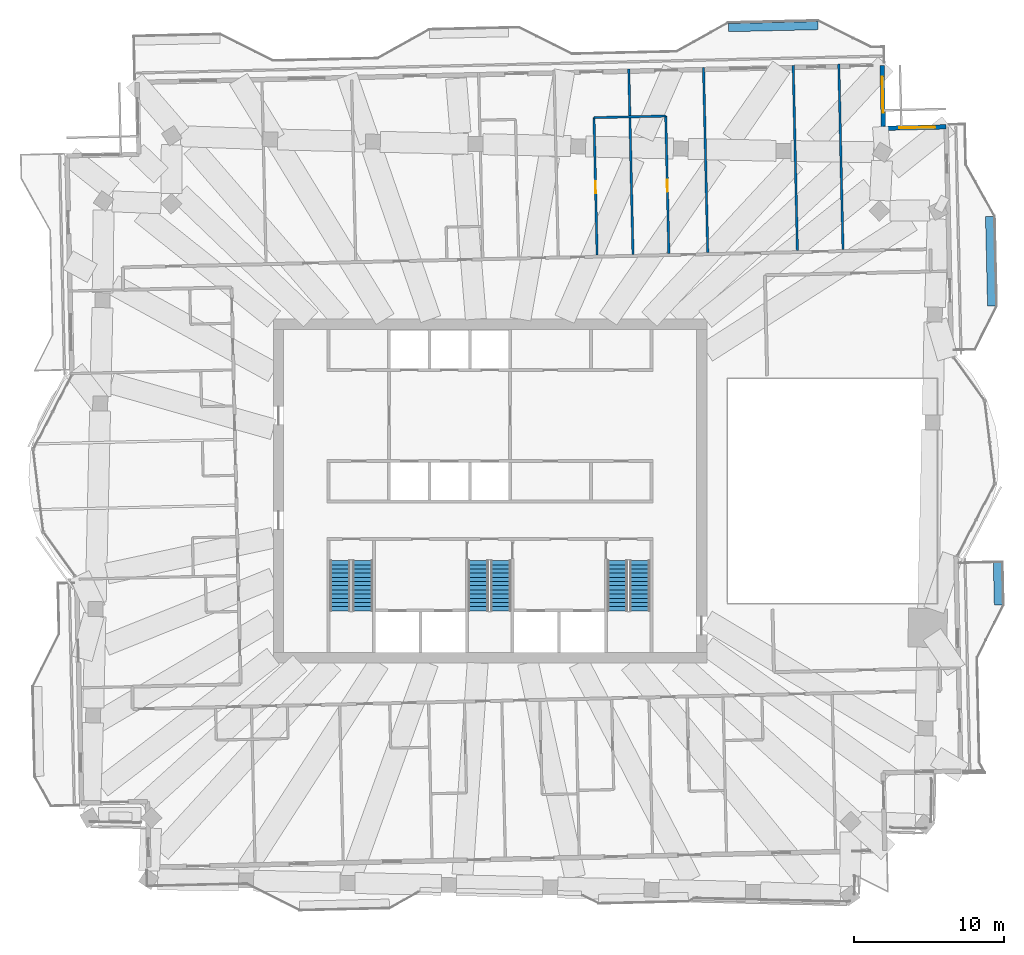
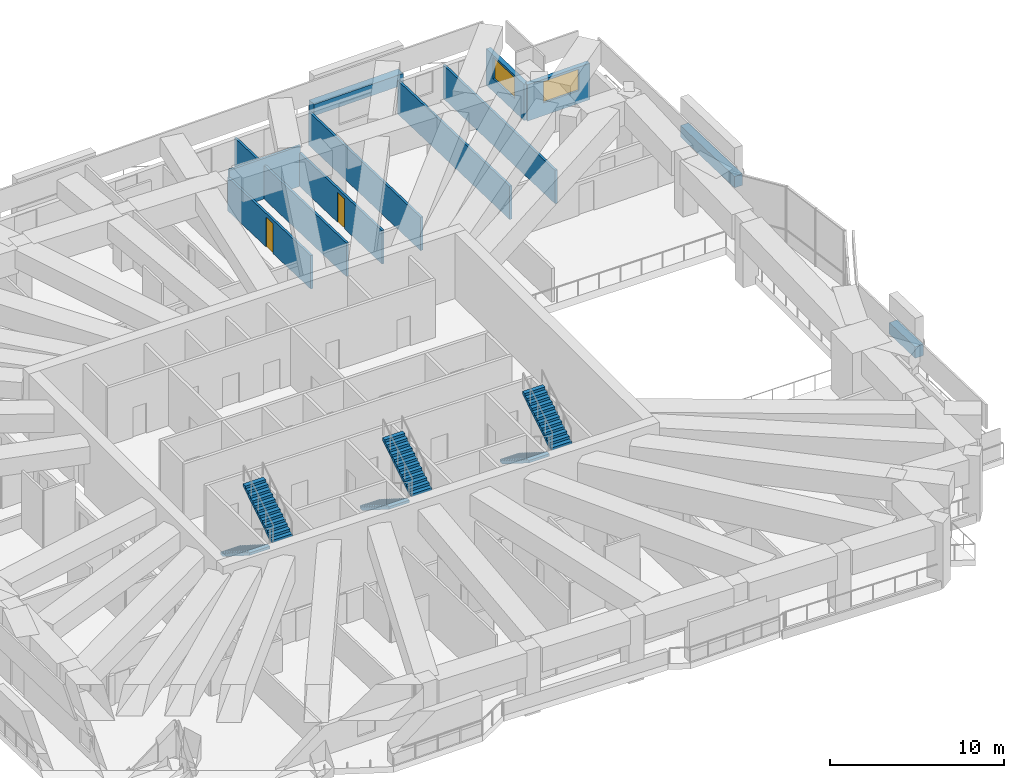
# One storey, part 17 of 21: 12 walls, 6 stair flights, 2 doors, 2 windows, 4 openings, 3 elements without a shape of their own.
"""IFC4 building model written with IfcOpenShell, lengths in metres."""

from ifc_helpers import new_model, si_unit, direction, frame, frame_2d, origin, place, context, subcontext, project, spatial, polyline, rectangle, outline, extrude, material, layer, layer_set, type_object, element, fill, aggregate, save


model = new_model("IFC4")

# Units and contexts
model_context = context("Model", 3, precision=1e-05, world=origin(), true_north=direction((0.0, 1.0)))
body_context = subcontext(model_context, "Body", "Model", "MODEL_VIEW")
ifc_project = project(units=[si_unit("LENGTHUNIT", "METRE"), si_unit("AREAUNIT", "SQUARE_METRE"), si_unit("VOLUMEUNIT", "CUBIC_METRE"), si_unit("PLANEANGLEUNIT", "RADIAN"), si_unit("MASSUNIT", "GRAM", prefix="KILO")], contexts=[model_context])

# Site, building, storey
site_placement = place(None, origin())
site = spatial("IfcSite", under=ifc_project, at=site_placement, CompositionType="ELEMENT")
building_placement = place(site_placement, origin())
building = spatial("IfcBuilding", under=site, at=building_placement, Name="Mangrove Gate Tower", CompositionType="ELEMENT")
storey_placement = place(building_placement, frame((0.0, 0.0, 275.300048828125)))
storey = spatial("IfcBuildingStorey", under=building, at=storey_placement, Name="L70", CompositionType="ELEMENT", Elevation=275.300048828125)

# Wall, opening, window
ifc_material_1 = material(Name="Limestone", Category="masonry")
ifc_layer_1 = layer(ifc_material_1, 0.0400390625, Name="Limestone cladding")
ifc_material_2 = material(Name="Ventilated air gap")
ifc_layer_2 = layer(ifc_material_2, 0.0400390625, Name="Ventilated cavity")
ifc_material_3 = material(Name="Mineral wool insulation")
ifc_layer_3 = layer(ifc_material_3, 0.06005859375, Name="Insulation")
ifc_material_4 = material(Name="Breather membrane")
ifc_layer_4 = layer(ifc_material_4, 0.001953125, Name="Breather membrane")
ifc_material_5 = material(Name="Concrete C20/25 blockwork", Category="masonry")
ifc_layer_5 = layer(ifc_material_5, 0.14990234375, Name="Blockwork backing wall")
ifc_material_6 = material(Name="Gypsum plaster")
ifc_layer_6 = layer(ifc_material_6, 0.008056640625, Name="Internal plaster")
ifc_layer_set_1 = layer_set([ifc_layer_1, ifc_layer_2, ifc_layer_3, ifc_layer_4, ifc_layer_5, ifc_layer_6], Name="External wall 300 limestone cladding")
wall_type_1 = type_object("IfcWallType", Name="External wall 300 limestone cladding", PredefinedType="SOLIDWALL", material=ifc_layer_set_1)
wall_1_placement = place(storey_placement, frame((30.510009765625, 24.362060546875, 0.0), z_axis=(0.0, 0.0, 1.0), x_axis=(-0.999739037152, -0.022844202663, 0.0)))
wall_1 = element("IfcWall", 1, at=wall_1_placement, inside=storey, type_object=wall_type_1, Name="WALL-L70-N3", PredefinedType="SOLIDWALL", context=body_context, shape_type="SweptSolid", body=[
    extrude(rectangle(XDim=4.199951171875, YDim=0.300048828125, at=frame_2d((2.10009765625, 0.0))), origin(), (0.0, 0.0, 1.0), 2.550048828125),
])
opening_1_placement = place(wall_1_placement, frame((0.75, 0.0, 0.89990234375)))
opening_1 = element("IfcOpeningElement", 2, at=opening_1_placement, cuts=wall_1, Name="Opening W2", PredefinedType="OPENING", context=body_context, shape_type="SweptSolid", body=[
    extrude(rectangle(XDim=2.39990234375, YDim=1.5, at=frame_2d((1.199951171875, 0.75))), frame((0.0, 0.159912109375, 0.0), z_axis=(0.0, -1.0, 0.0), x_axis=(1.0, 0.0, 0.0)), (0.0, 0.0, 1.0), 0.320068359375),
])
ifc_material_7 = material(Name="Aluminium frame with double-glazed low-e glass", Category="aluminium")
window_type = type_object("IfcWindowType", Name="Corner room window 2400x1500", PartitioningType="DOUBLE_PANEL_VERTICAL", PredefinedType="WINDOW", material=ifc_material_7)
window_1_placement = place(opening_1_placement, origin())
window_1 = element("IfcWindow", 3, at=window_1_placement, inside=storey, type_object=window_type, Name="WIN-L70-N3-1", OverallHeight=1.5, OverallWidth=2.39990234375, PartitioningType="DOUBLE_PANEL_VERTICAL", PredefinedType="WINDOW", context=body_context, shape_type="SweptSolid", body=[
    extrude(rectangle(XDim=2.39990234375, YDim=1.5, at=frame_2d((1.199951171875, 0.75))), frame((0.0, 0.030029296875, 0.0), z_axis=(0.0, -1.0, 0.0), x_axis=(1.0, 0.0, 0.0)), (0.0, 0.0, 1.0), 0.06005859375),
])
fill(opening_1, window_1)

wall_2_placement = place(storey_placement, frame((26.31103515625, 24.26611328125, 0.0), z_axis=(0.0, 0.0, 1.0), x_axis=(-0.022611811187, 0.999744320311, 0.0)))
wall_2 = element("IfcWall", 4, at=wall_2_placement, inside=storey, type_object=wall_type_1, Name="WALL-L70-E4", PredefinedType="SOLIDWALL", context=body_context, shape_type="SweptSolid", body=[
    extrude(rectangle(XDim=4.199951171875, YDim=0.300048828125, at=frame_2d((2.10009765625, 0.0))), origin(), (0.0, 0.0, 1.0), 2.550048828125),
])
opening_2_placement = place(wall_2_placement, frame((1.050048828125, 0.0, 0.89990234375)))
opening_2 = element("IfcOpeningElement", 5, at=opening_2_placement, cuts=wall_2, Name="Opening W2", PredefinedType="OPENING", context=body_context, shape_type="SweptSolid", body=[
    extrude(rectangle(XDim=2.39990234375, YDim=1.5, at=frame_2d((1.199951171875, 0.75))), frame((0.0, 0.159912109375, 0.0), z_axis=(0.0, -1.0, 0.0), x_axis=(1.0, 0.0, 0.0)), (0.0, 0.0, 1.0), 0.320068359375),
])
window_2_placement = place(opening_2_placement, origin())
window_2 = element("IfcWindow", 6, at=window_2_placement, inside=storey, type_object=window_type, Name="WIN-L70-E4-1", OverallHeight=1.5, OverallWidth=2.39990234375, PartitioningType="DOUBLE_PANEL_VERTICAL", PredefinedType="WINDOW", context=body_context, shape_type="SweptSolid", body=[
    extrude(rectangle(XDim=2.39990234375, YDim=1.5, at=frame_2d((1.199951171875, 0.75))), frame((0.0, 0.030029296875, 0.0), z_axis=(0.0, -1.0, 0.0), x_axis=(1.0, 0.0, 0.0)), (0.0, 0.0, 1.0), 0.06005859375),
])
fill(opening_2, window_2)

# Wall, opening, door
ifc_material_8 = material(Name="Gypsum board on steel stud, EI 60", Category="steel")
ifc_layer_7 = layer(ifc_material_8, 0.14990234375)
ifc_layer_set_2 = layer_set([ifc_layer_7], Name="Party wall 150 EI 60")
wall_type_2 = type_object("IfcWallType", Name="Party wall 150 EI 60", PredefinedType="PARTITIONING", material=ifc_layer_set_2)
wall_3_placement = place(storey_placement, frame((7.160888671875, 15.780029296875, 0.0), z_axis=(0.0, 0.0, 1.0), x_axis=(-0.022717185456, 0.999741931443, 0.0)))
wall_3 = element("IfcWall", 7, at=wall_3_placement, inside=storey, type_object=wall_type_2, Name="WALL-L70-061", PredefinedType="PARTITIONING", context=body_context, shape_type="SweptSolid", body=[
    extrude(rectangle(XDim=9.199462890625, YDim=0.14990234375, at=frame_2d((4.599609375, 0.0))), origin(), (0.0, 0.0, 1.0), 2.349853515625),
])
opening_3_placement = place(wall_3_placement, frame((4.14990234375, 0.0, 0.0)))
opening_3 = element("IfcOpeningElement", 8, at=opening_3_placement, cuts=wall_3, Name="Opening ED", PredefinedType="OPENING", context=body_context, shape_type="SweptSolid", body=[
    extrude(rectangle(XDim=0.800048828125, YDim=2.10009765625, at=frame_2d((0.39990234375, 1.050048828125))), frame((0.0, 0.0849609375, 0.0), z_axis=(0.0, -1.0, 0.0), x_axis=(1.0, 0.0, 0.0)), (0.0, 0.0, 1.0), 0.169921875),
])
ifc_material_9 = material(Name="Timber door leaf", Category="wood")
door_type = type_object("IfcDoorType", Name="En-suite door 800", OperationType="SINGLE_SWING_LEFT", PredefinedType="DOOR", material=ifc_material_9)
door_1_placement = place(opening_3_placement, origin())
door_1 = element("IfcDoor", 9, at=door_1_placement, inside=storey, type_object=door_type, Name="DOOR-L70-ENS-c406", OperationType="SINGLE_SWING_RIGHT", OverallHeight=2.10009765625, OverallWidth=0.800048828125, PredefinedType="DOOR", context=body_context, shape_type="SweptSolid", body=[
    extrude(rectangle(XDim=0.800048828125, YDim=2.10009765625, at=frame_2d((0.39990234375, 1.050048828125))), frame((0.0, 0.02490234375, 0.0), z_axis=(0.0, -1.0, 0.0), x_axis=(1.0, 0.0, 0.0)), (0.0, 0.0, 1.0), 0.050048828125),
])
fill(opening_3, door_1)

# Wall
wall_4_placement = place(storey_placement, frame((9.56005859375, 15.833984375, 0.0), z_axis=(0.0, 0.0, 1.0), x_axis=(-0.022661475803, 0.999743195783, 0.0)))
element("IfcWall", 10, at=wall_4_placement, inside=storey, type_object=wall_type_2, Name="WALL-L70-062", PredefinedType="PARTITIONING", context=body_context, shape_type="SweptSolid", body=[
    extrude(rectangle(XDim=12.400146484375, YDim=0.14990234375, at=frame_2d((6.2001953125, 0.0))), origin(), (0.0, 0.0, 1.0), 2.349853515625),
])

# Wall, opening, door
wall_5_placement = place(storey_placement, frame((11.9599609375, 15.888916015625, 0.0), z_axis=(0.0, 0.0, 1.0), x_axis=(-0.022717185456, 0.999741931443, 0.0)))
wall_5 = element("IfcWall", 11, at=wall_5_placement, inside=storey, type_object=wall_type_2, Name="WALL-L70-063", PredefinedType="PARTITIONING", context=body_context, shape_type="SweptSolid", body=[
    extrude(rectangle(XDim=9.199462890625, YDim=0.14990234375, at=frame_2d((4.599609375, 0.0))), origin(), (0.0, 0.0, 1.0), 2.349853515625),
])
opening_4_placement = place(wall_5_placement, frame((4.14990234375, 0.0, 0.0)))
opening_4 = element("IfcOpeningElement", 12, at=opening_4_placement, cuts=wall_5, Name="Opening ED", PredefinedType="OPENING", context=body_context, shape_type="SweptSolid", body=[
    extrude(rectangle(XDim=0.800048828125, YDim=2.10009765625, at=frame_2d((0.39990234375, 1.050048828125))), frame((0.0, 0.0849609375, 0.0), z_axis=(0.0, -1.0, 0.0), x_axis=(1.0, 0.0, 0.0)), (0.0, 0.0, 1.0), 0.169921875),
])
door_2_placement = place(opening_4_placement, origin())
door_2 = element("IfcDoor", 13, at=door_2_placement, inside=storey, type_object=door_type, Name="DOOR-L70-ENS-c305", OperationType="SINGLE_SWING_LEFT", OverallHeight=2.10009765625, OverallWidth=0.800048828125, PredefinedType="DOOR", context=body_context, shape_type="SweptSolid", body=[
    extrude(rectangle(XDim=0.800048828125, YDim=2.10009765625, at=frame_2d((0.39990234375, 1.050048828125))), frame((0.0, 0.02490234375, 0.0), z_axis=(0.0, -1.0, 0.0), x_axis=(1.0, 0.0, 0.0)), (0.0, 0.0, 1.0), 0.050048828125),
])
fill(opening_4, door_2)

# Walls
wall_6_placement = place(storey_placement, frame((14.55908203125, 15.947998046875, 0.0), z_axis=(0.0, 0.0, 1.0), x_axis=(-0.022663260168, 0.999743155335, 0.0)))
element("IfcWall", 14, at=wall_6_placement, inside=storey, type_object=wall_type_2, Name="WALL-L70-064", PredefinedType="PARTITIONING", context=body_context, shape_type="SweptSolid", body=[
    extrude(rectangle(XDim=12.399169921875, YDim=0.14990234375, at=frame_2d((6.19970703125, 0.0))), origin(), (0.0, 0.0, 1.0), 2.349853515625),
])
for number, where, z_axis, x_axis, name in (
    (15, (20.556884765625, 16.083984375, 0.0), (0.0, 0.0, 1.0), (-0.022661475803, 0.999743195783, 0.0), "WALL-L70-065"),
    (16, (23.60693359375, 16.153076171875, 0.0), (0.0, 0.0, 1.0), (-0.022740189192, 0.999741408463, 0.0), "WALL-L70-066"),
):
    element("IfcWall", number, at=place(storey_placement, frame(where, z_axis=z_axis, x_axis=x_axis)), inside=storey, type_object=wall_type_2, Name=name, PredefinedType="PARTITIONING", context=body_context, shape_type="SweptSolid", body=[
        extrude(rectangle(XDim=12.400146484375, YDim=0.14990234375, at=frame_2d((6.2001953125, 0.0))), origin(), (0.0, 0.0, 1.0), 2.349853515625),
    ])
wall_7_placement = place(storey_placement, frame((6.9541015625, 24.97705078125, 0.0), z_axis=(0.0, 0.0, 1.0), x_axis=(0.999742675121, 0.022684433919, 0.0)))
element("IfcWall", 17, at=wall_7_placement, inside=storey, type_object=wall_type_2, Name="WALL-L70-069", PredefinedType="PARTITIONING", context=body_context, shape_type="SweptSolid", body=[
    extrude(rectangle(XDim=4.800048828125, YDim=0.14990234375, at=frame_2d((2.39990234375, 0.0))), origin(), (0.0, 0.0, 1.0), 2.849853515625),
])
ifc_material_10 = material(Name="Concrete C32/40", Category="concrete")
ifc_layer_8 = layer(ifc_material_10, 0.199951171875, Name="Planter trough wall")
ifc_material_11 = material(Name="Bituminous waterproofing membrane")
ifc_layer_9 = layer(ifc_material_11, 0.0048828125, Name="Waterproofing")
ifc_material_12 = material(Name="Drainage board and gravel")
ifc_layer_10 = layer(ifc_material_12, 0.044921875, Name="Drainage layer")
ifc_material_13 = material(Name="Planting soil")
ifc_layer_11 = layer(ifc_material_13, 0.300048828125, Name="Growing medium")
ifc_layer_set_3 = layer_set([ifc_layer_8, ifc_layer_9, ifc_layer_10, ifc_layer_11], Name="Planter wall 550 C32/40")
wall_type_3 = type_object("IfcWallType", Name="Planter wall 550 C32/40", PredefinedType="USERDEFINED", material=ifc_layer_set_3)
wall_8_placement = place(storey_placement, frame((34.001953125, -7.616943359375, 0.0), z_axis=(0.0, 0.0, 1.0), x_axis=(-0.022929749512, 0.99973707873, 0.0)))
element("IfcWall", 18, at=wall_8_placement, inside=storey, type_object=wall_type_3, Name="PLANTER L70 E0.1", ObjectType="PLANTER", PredefinedType="USERDEFINED", context=body_context, shape_type="SweptSolid", body=[
    extrude(rectangle(XDim=2.874755859375, YDim=0.550048828125, at=frame_2d((1.4375, 0.0))), origin(), (0.0, 0.0, 1.0), 0.800048828125),
])
for number, where, z_axis, x_axis, name in (
    (19, (33.548095703125, 12.3779296875, 0.0), (0.0, 0.0, 1.0), (-0.022665943652, 0.999743094499, 0.0), "PLANTER L70 E1.1"),
    (20, (15.93798828125, 30.998046875, 0.0), (0.0, 0.0, 1.0), (0.999743094499, 0.022665943652, 0.0), "PLANTER L70 N0.1"),
):
    element("IfcWall", number, at=place(storey_placement, frame(where, z_axis=z_axis, x_axis=x_axis)), inside=storey, type_object=wall_type_3, Name=name, ObjectType="PLANTER", PredefinedType="USERDEFINED", context=body_context, shape_type="SweptSolid", body=[
        extrude(rectangle(XDim=5.99951171875, YDim=0.550048828125, at=frame_2d((2.999755859375, 0.0))), origin(), (0.0, 0.0, 1.0), 0.800048828125),
    ])

# Stair, stair flights
ifc_material_14 = material(Name="Concrete C40/50", Category="concrete")
stair_type = type_object("IfcStairType", Name="Core stair 1350", PredefinedType="HALF_TURN_STAIR", material=ifc_material_14)
stair_1_placement = place(storey_placement, origin())
stair_1 = element("IfcStair", 21, at=stair_1_placement, inside=storey, type_object=stair_type, Name="L70 Stair 1", PredefinedType="HALF_TURN_STAIR")
ifc_material_15 = material(Name="Concrete C40/50", Category="concrete")
stair_flight_type = type_object("IfcStairFlightType", Name="Core stair flight 1350", PredefinedType="STRAIGHT", material=ifc_material_15)
stair_flight_1_placement = place(storey_placement, frame((-10.02490234375, -4.64990234375, 0.0), z_axis=(0.0, 0.0, 1.0), x_axis=(0.0, -1.0, 0.0)))
stair_flight_1 = element("IfcStairFlight", 22, at=stair_flight_1_placement, type_object=stair_flight_type, Name="ST1 flight 1", NumberOfRisers=13, NumberOfTreads=12, PredefinedType="STRAIGHT", RiserHeight=0.176923077, TreadLength=0.28, context=body_context, shape_type="SweptSolid", body=[
    extrude(outline(polyline([(0.0, 0.0), (0.0, 0.177001953125), (0.280029296875, 0.177001953125), (0.280029296875, 0.353759765625), (0.56005859375, 0.353759765625), (0.56005859375, 0.53076171875), (0.840087890625, 0.53076171875), (0.840087890625, 0.707763671875), (1.1201171875, 0.707763671875), (1.1201171875, 0.884521484375), (1.39990234375, 0.884521484375), (1.39990234375, 1.0615234375), (1.679931640625, 1.0615234375), (1.679931640625, 1.238525390625), (1.9599609375, 1.238525390625), (1.9599609375, 1.415283203125), (2.239990234375, 1.415283203125), (2.239990234375, 1.59228515625), (2.52001953125, 1.59228515625), (2.52001953125, 1.769287109375), (2.800048828125, 1.769287109375), (2.800048828125, 1.946044921875), (3.080078125, 1.946044921875), (3.080078125, 2.123046875), (3.360107421875, 2.123046875), (3.360107421875, 2.300048828125), (3.360107421875, 1.94580078125), (0.280517578125, 0.0), (0.0, 0.0)])), frame((0.0, 0.675048828125, 0.0), z_axis=(0.0, -1.0, 0.0), x_axis=(1.0, 0.0, 0.0)), (0.0, 0.0, 1.0), 1.35009765625),
])
stair_flight_2_placement = place(storey_placement, frame((-8.52490234375, -8.010009765625, 2.300048828125), z_axis=(0.0, 0.0, 1.0), x_axis=(0.0, 1.0, 0.0)))
stair_flight_2 = element("IfcStairFlight", 23, at=stair_flight_2_placement, type_object=stair_flight_type, Name="ST1 flight 2", NumberOfRisers=13, NumberOfTreads=12, PredefinedType="STRAIGHT", RiserHeight=0.176923077, TreadLength=0.28, context=body_context, shape_type="SweptSolid", body=[
    extrude(outline(polyline([(0.0, 0.0), (0.0, 0.177001953125), (0.280029296875, 0.177001953125), (0.280029296875, 0.353759765625), (0.56005859375, 0.353759765625), (0.56005859375, 0.53076171875), (0.840087890625, 0.53076171875), (0.840087890625, 0.707763671875), (1.1201171875, 0.707763671875), (1.1201171875, 0.884521484375), (1.39990234375, 0.884521484375), (1.39990234375, 1.0615234375), (1.679931640625, 1.0615234375), (1.679931640625, 1.238525390625), (1.9599609375, 1.238525390625), (1.9599609375, 1.415283203125), (2.239990234375, 1.415283203125), (2.239990234375, 1.59228515625), (2.52001953125, 1.59228515625), (2.52001953125, 1.769287109375), (2.800048828125, 1.769287109375), (2.800048828125, 1.946044921875), (3.080078125, 1.946044921875), (3.080078125, 2.123046875), (3.360107421875, 2.123046875), (3.360107421875, 2.300048828125), (3.360107421875, 1.94580078125), (0.280517578125, 0.0), (0.0, 0.0)])), frame((0.0, 0.675048828125, 0.0), z_axis=(0.0, -1.0, 0.0), x_axis=(1.0, 0.0, 0.0)), (0.0, 0.0, 1.0), 1.35009765625),
])
aggregate(stair_1, [stair_flight_1, stair_flight_2])

stair_2_placement = place(storey_placement, origin())
stair_2 = element("IfcStair", 24, at=stair_2_placement, inside=storey, type_object=stair_type, Name="L70 Stair 2", PredefinedType="HALF_TURN_STAIR")
stair_flight_3_placement = place(storey_placement, frame((-0.77490234375, -4.64990234375, 0.0), z_axis=(0.0, 0.0, 1.0), x_axis=(0.0, -1.0, 0.0)))
stair_flight_3 = element("IfcStairFlight", 25, at=stair_flight_3_placement, type_object=stair_flight_type, Name="ST2 flight 1", NumberOfRisers=13, NumberOfTreads=12, PredefinedType="STRAIGHT", RiserHeight=0.176923077, TreadLength=0.28, context=body_context, shape_type="SweptSolid", body=[
    extrude(outline(polyline([(0.0, 0.0), (0.0, 0.177001953125), (0.280029296875, 0.177001953125), (0.280029296875, 0.353759765625), (0.56005859375, 0.353759765625), (0.56005859375, 0.53076171875), (0.840087890625, 0.53076171875), (0.840087890625, 0.707763671875), (1.1201171875, 0.707763671875), (1.1201171875, 0.884521484375), (1.39990234375, 0.884521484375), (1.39990234375, 1.0615234375), (1.679931640625, 1.0615234375), (1.679931640625, 1.238525390625), (1.9599609375, 1.238525390625), (1.9599609375, 1.415283203125), (2.239990234375, 1.415283203125), (2.239990234375, 1.59228515625), (2.52001953125, 1.59228515625), (2.52001953125, 1.769287109375), (2.800048828125, 1.769287109375), (2.800048828125, 1.946044921875), (3.080078125, 1.946044921875), (3.080078125, 2.123046875), (3.360107421875, 2.123046875), (3.360107421875, 2.300048828125), (3.360107421875, 1.94580078125), (0.280517578125, 0.0), (0.0, 0.0)])), frame((0.0, 0.675048828125, 0.0), z_axis=(0.0, -1.0, 0.0), x_axis=(1.0, 0.0, 0.0)), (0.0, 0.0, 1.0), 1.35009765625),
])
stair_flight_4_placement = place(storey_placement, frame((0.72509765625, -8.010009765625, 2.300048828125), z_axis=(0.0, 0.0, 1.0), x_axis=(0.0, 1.0, 0.0)))
stair_flight_4 = element("IfcStairFlight", 26, at=stair_flight_4_placement, type_object=stair_flight_type, Name="ST2 flight 2", NumberOfRisers=13, NumberOfTreads=12, PredefinedType="STRAIGHT", RiserHeight=0.176923077, TreadLength=0.28, context=body_context, shape_type="SweptSolid", body=[
    extrude(outline(polyline([(0.0, 0.0), (0.0, 0.177001953125), (0.280029296875, 0.177001953125), (0.280029296875, 0.353759765625), (0.56005859375, 0.353759765625), (0.56005859375, 0.53076171875), (0.840087890625, 0.53076171875), (0.840087890625, 0.707763671875), (1.1201171875, 0.707763671875), (1.1201171875, 0.884521484375), (1.39990234375, 0.884521484375), (1.39990234375, 1.0615234375), (1.679931640625, 1.0615234375), (1.679931640625, 1.238525390625), (1.9599609375, 1.238525390625), (1.9599609375, 1.415283203125), (2.239990234375, 1.415283203125), (2.239990234375, 1.59228515625), (2.52001953125, 1.59228515625), (2.52001953125, 1.769287109375), (2.800048828125, 1.769287109375), (2.800048828125, 1.946044921875), (3.080078125, 1.946044921875), (3.080078125, 2.123046875), (3.360107421875, 2.123046875), (3.360107421875, 2.300048828125), (3.360107421875, 1.94580078125), (0.280517578125, 0.0), (0.0, 0.0)])), frame((0.0, 0.675048828125, 0.0), z_axis=(0.0, -1.0, 0.0), x_axis=(1.0, 0.0, 0.0)), (0.0, 0.0, 1.0), 1.35009765625),
])
aggregate(stair_2, [stair_flight_3, stair_flight_4])

stair_3_placement = place(storey_placement, origin())
stair_3 = element("IfcStair", 27, at=stair_3_placement, inside=storey, type_object=stair_type, Name="L70 Stair 3", PredefinedType="HALF_TURN_STAIR")
stair_flight_5_placement = place(storey_placement, frame((8.52490234375, -4.64990234375, 0.0), z_axis=(0.0, 0.0, 1.0), x_axis=(0.0, -1.0, 0.0)))
stair_flight_5 = element("IfcStairFlight", 28, at=stair_flight_5_placement, type_object=stair_flight_type, Name="ST3 flight 1", NumberOfRisers=13, NumberOfTreads=12, PredefinedType="STRAIGHT", RiserHeight=0.176923077, TreadLength=0.28, context=body_context, shape_type="SweptSolid", body=[
    extrude(outline(polyline([(0.0, 0.0), (0.0, 0.177001953125), (0.280029296875, 0.177001953125), (0.280029296875, 0.353759765625), (0.56005859375, 0.353759765625), (0.56005859375, 0.53076171875), (0.840087890625, 0.53076171875), (0.840087890625, 0.707763671875), (1.1201171875, 0.707763671875), (1.1201171875, 0.884521484375), (1.39990234375, 0.884521484375), (1.39990234375, 1.0615234375), (1.679931640625, 1.0615234375), (1.679931640625, 1.238525390625), (1.9599609375, 1.238525390625), (1.9599609375, 1.415283203125), (2.239990234375, 1.415283203125), (2.239990234375, 1.59228515625), (2.52001953125, 1.59228515625), (2.52001953125, 1.769287109375), (2.800048828125, 1.769287109375), (2.800048828125, 1.946044921875), (3.080078125, 1.946044921875), (3.080078125, 2.123046875), (3.360107421875, 2.123046875), (3.360107421875, 2.300048828125), (3.360107421875, 1.94580078125), (0.280517578125, 0.0), (0.0, 0.0)])), frame((0.0, 0.675048828125, 0.0), z_axis=(0.0, -1.0, 0.0), x_axis=(1.0, 0.0, 0.0)), (0.0, 0.0, 1.0), 1.35009765625),
])
stair_flight_6_placement = place(storey_placement, frame((10.02490234375, -8.010009765625, 2.300048828125), z_axis=(0.0, 0.0, 1.0), x_axis=(0.0, 1.0, 0.0)))
stair_flight_6 = element("IfcStairFlight", 29, at=stair_flight_6_placement, type_object=stair_flight_type, Name="ST3 flight 2", NumberOfRisers=13, NumberOfTreads=12, PredefinedType="STRAIGHT", RiserHeight=0.176923077, TreadLength=0.28, context=body_context, shape_type="SweptSolid", body=[
    extrude(outline(polyline([(0.0, 0.0), (0.0, 0.177001953125), (0.280029296875, 0.177001953125), (0.280029296875, 0.353759765625), (0.56005859375, 0.353759765625), (0.56005859375, 0.53076171875), (0.840087890625, 0.53076171875), (0.840087890625, 0.707763671875), (1.1201171875, 0.707763671875), (1.1201171875, 0.884521484375), (1.39990234375, 0.884521484375), (1.39990234375, 1.0615234375), (1.679931640625, 1.0615234375), (1.679931640625, 1.238525390625), (1.9599609375, 1.238525390625), (1.9599609375, 1.415283203125), (2.239990234375, 1.415283203125), (2.239990234375, 1.59228515625), (2.52001953125, 1.59228515625), (2.52001953125, 1.769287109375), (2.800048828125, 1.769287109375), (2.800048828125, 1.946044921875), (3.080078125, 1.946044921875), (3.080078125, 2.123046875), (3.360107421875, 2.123046875), (3.360107421875, 2.300048828125), (3.360107421875, 1.94580078125), (0.280517578125, 0.0), (0.0, 0.0)])), frame((0.0, 0.675048828125, 0.0), z_axis=(0.0, -1.0, 0.0), x_axis=(1.0, 0.0, 0.0)), (0.0, 0.0, 1.0), 1.35009765625),
])
aggregate(stair_3, [stair_flight_5, stair_flight_6])

save(model, "model.ifc")
